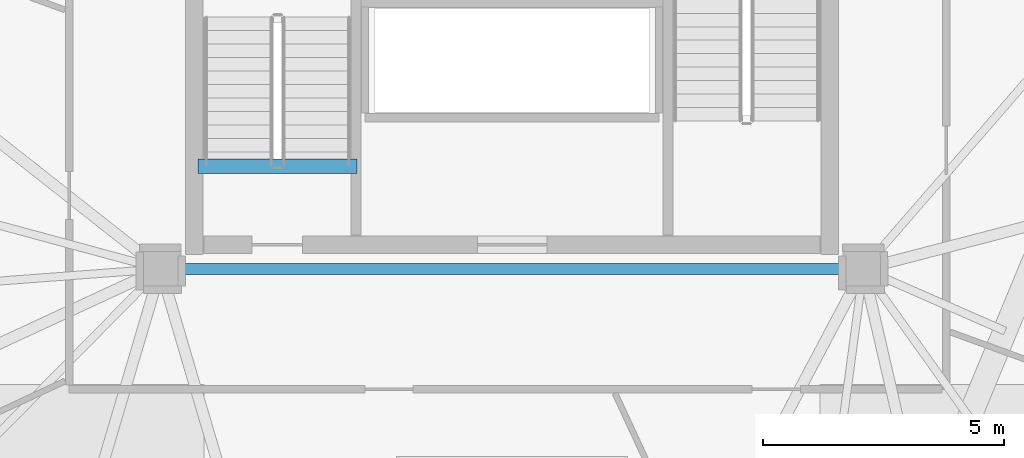
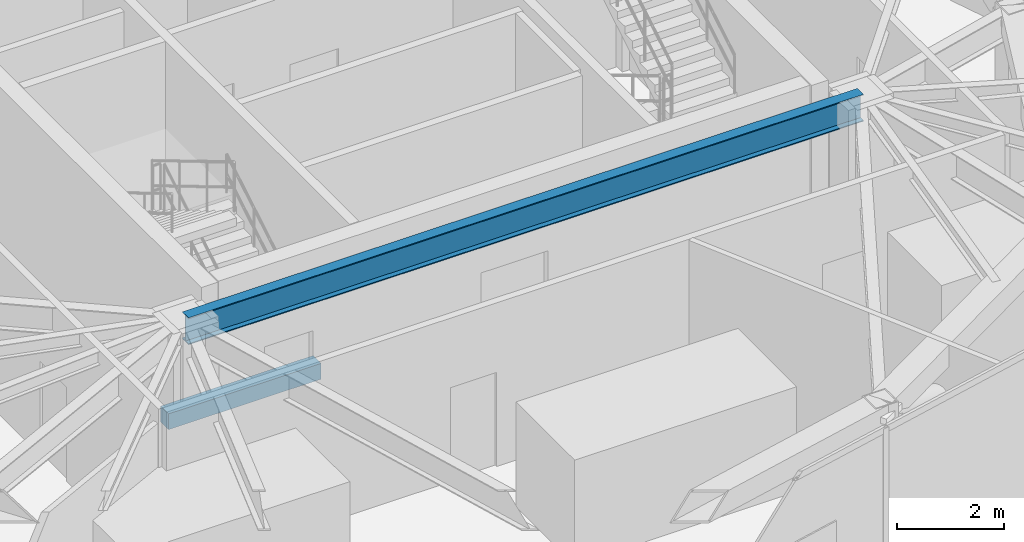
# One storey, part 6 of 21: 2 beams.
"""IFC4 building model written with IfcOpenShell, lengths in metres."""

import ifcopenshell
import ifcopenshell.guid

model = None  # the IFC model being written
_history = None  # IfcOwnerHistory: only IFC2X3 demands one
_inside = {}  # id of a spatial element -> (the spatial element, [elements in it])
_under = {}  # id of a project, library or spatial element -> (it, [spatial elements below it])
_declared = {}  # id of a project -> (the project, [libraries it declares])
_typed = {}  # id of a type object -> (the type object, [elements of that type])
_made_of = {}  # id of a material, layer set ... -> (it, [elements and type objects made of it])


def new_model(schema):
    """Start an empty IFC model of exactly this schema.

    Asked for "IFC4X3", IfcOpenShell would pick the latest addendum, in which some entities
    have other attributes; the version numbers below select the first issue.
    IFC2X3 requires an IfcOwnerHistory on every rooted entity: one is made here for all.
    """
    global model, _history
    if schema == "IFC4X3":
        model = ifcopenshell.file(schema_version=(4, 3, 0, 0))
    else:
        model = ifcopenshell.file(schema=schema)
    _inside.clear()
    _under.clear()
    _declared.clear()
    _typed.clear()
    _made_of.clear()
    _history = None
    if model.schema == "IFC2X3":
        org = make("IfcOrganization", Name="unknown")
        user = make(
            "IfcPersonAndOrganization",
            ThePerson=make("IfcPerson", FamilyName="unknown"),
            TheOrganization=org,
        )
        app = make(
            "IfcApplication",
            ApplicationDeveloper=org,
            Version="unknown",
            ApplicationFullName="unknown",
            ApplicationIdentifier="unknown",
        )
        _history = make(
            "IfcOwnerHistory",
            OwningUser=user,
            OwningApplication=app,
            ChangeAction="ADDED",
            CreationDate=0,
        )
    return model


def make(cls, **values):
    """One entity of the class cls with the attributes given. An attribute that is None is left unset."""
    return model.create_entity(
        cls, **{name: value for name, value in values.items() if value is not None}
    )


def rooted(cls, **values):
    """An entity with a GlobalId (a new one), such as an element, a storey or a relation."""
    return make(cls, GlobalId=ifcopenshell.guid.new(), OwnerHistory=_history, **values)


def si_unit(unit_type, name, prefix=None):
    """IfcSIUnit, for example si_unit("LENGTHUNIT", "METRE", prefix="MILLI")."""
    return make("IfcSIUnit", UnitType=unit_type, Prefix=prefix, Name=name)


def assignment(units):
    """IfcUnitAssignment: the units of a project."""
    return None if units is None else make("IfcUnitAssignment", Units=units)


def point(xyz):
    """IfcCartesianPoint."""
    return None if xyz is None else make("IfcCartesianPoint", Coordinates=xyz)


def direction(xyz):
    """IfcDirection."""
    return None if xyz is None else make("IfcDirection", DirectionRatios=xyz)


def frame(location, z_axis=None, x_axis=None):
    """IfcAxis2Placement3D, a coordinate frame: its origin and axes. An axis left out is left unset."""
    return make(
        "IfcAxis2Placement3D",
        Location=point(location),
        Axis=direction(z_axis),
        RefDirection=direction(x_axis),
    )


def frame_2d(location, x_axis=None):
    """IfcAxis2Placement2D, a coordinate frame in the plane: its origin and x axis."""
    return make(
        "IfcAxis2Placement2D", Location=point(location), RefDirection=direction(x_axis)
    )


def origin():
    """The frame at (0, 0, 0) with its axes left unset."""
    return frame((0.0, 0.0, 0.0))


def origin_2d():
    """The frame at (0, 0) in the plane with its x axis left unset."""
    return frame_2d((0.0, 0.0))


def place(relative_to, where):
    """IfcLocalPlacement: puts the frame where relative to a parent placement (None: the world)."""
    return make(
        "IfcLocalPlacement", PlacementRelTo=relative_to, RelativePlacement=where
    )


def context(
    kind, dimensions, precision=None, world=None, true_north=None, identifier=None
):
    """IfcGeometricRepresentationContext, for example the 3D "Model" context."""
    return make(
        "IfcGeometricRepresentationContext",
        ContextIdentifier=identifier,
        ContextType=kind,
        CoordinateSpaceDimension=dimensions,
        Precision=precision,
        WorldCoordinateSystem=world,
        TrueNorth=true_north,
    )


def subcontext(parent, identifier, kind, view, scale=None):
    """IfcGeometricRepresentationSubContext, for example "Body" below "Model"."""
    return make(
        "IfcGeometricRepresentationSubContext",
        ContextIdentifier=identifier,
        ContextType=kind,
        ParentContext=parent,
        TargetScale=scale,
        TargetView=view,
    )


def project(units=None, contexts=None):
    """IfcProject with its units and contexts."""
    return rooted(
        "IfcProject",
        Name="project",
        RepresentationContexts=contexts,
        UnitsInContext=assignment(units),
    )


def spatial(cls, under=None, at=None, **own):
    """A site, building, storey or space (cls), placed at a placement, below another one or the project."""
    s = rooted(cls, ObjectPlacement=at, **own)
    if under is not None:
        _under.setdefault(under.id(), (under, []))[1].append(s)
    return s


def profile(cls, at=None, kind="AREA", **sizes):
    """A parametric profile (cls). Its sizes go by their IFC names, for example OverallWidth=200.0."""
    return make(cls, ProfileType=kind, Position=at, **sizes)


def rectangle(**sizes):
    """IfcRectangleProfileDef."""
    return profile("IfcRectangleProfileDef", **sizes)


def i_section(**sizes):
    """IfcIShapeProfileDef."""
    return profile("IfcIShapeProfileDef", **sizes)


def extrude(swept, where, along, depth):
    """IfcExtrudedAreaSolid: the profile swept, set in the frame where, extruded along a direction by depth."""
    return make(
        "IfcExtrudedAreaSolid",
        SweptArea=swept,
        Position=where,
        ExtrudedDirection=direction(along),
        Depth=depth,
    )


def shape(context_of_items, identifier, shape_type, items):
    """IfcShapeRepresentation: the items that make up one representation, for example the "Body"."""
    return make(
        "IfcShapeRepresentation",
        ContextOfItems=context_of_items,
        RepresentationIdentifier=identifier,
        RepresentationType=shape_type,
        Items=items,
    )


def material(Name=None, Category=None):
    """IfcMaterial."""
    return make("IfcMaterial", Name=Name, Category=Category)


def material_profile(
    of_material, cross_section, Name=None, Category=None, Priority=None
):
    """IfcMaterialProfile: a cross section and its material."""
    return make(
        "IfcMaterialProfile",
        Name=Name,
        Material=of_material,
        Profile=cross_section,
        Priority=Priority,
        Category=Category,
    )


def profile_set(profiles, Name=None, composite=None):
    """IfcMaterialProfileSet."""
    return make(
        "IfcMaterialProfileSet",
        Name=Name,
        MaterialProfiles=profiles,
        CompositeProfile=composite,
    )


def made_of(thing, what):
    """Note that an element or type object is made of a material, layer set ...; save() writes the relation."""
    if what is not None:
        _made_of.setdefault(what.id(), (what, []))[1].append(thing)
    return thing


def type_object(cls, material=None, **own):
    """A type object (cls), such as IfcWallType, which elements share."""
    return made_of(rooted(cls, **own), material)


def element(
    cls,
    number,
    at=None,
    inside=None,
    cuts=None,
    type_object=None,
    material=None,
    context=None,
    identifier="Body",
    shape_type=None,
    held_by="IfcProductDefinitionShape",
    body=None,
    shapes=None,
    **own,
):
    """One element of the class cls, such as IfcWall. Its Tag is "e" and its number.

    at: its placement. inside: the storey or other place that contains it. cuts: it is an
    opening in that element (IfcRelVoidsElement). A single representation is given by context,
    identifier, shape_type and body (its items); several are given by shapes. held_by: the class
    of the entity that holds the representations. save() writes the other relations.
    """
    e = rooted(cls, Tag="e%d" % number, ObjectPlacement=at, **own)
    if body is not None:
        shapes = [shape(context, identifier, shape_type, body)]
    if shapes is not None:
        e.Representation = make(held_by, Representations=shapes)
    if inside is not None:
        _inside.setdefault(inside.id(), (inside, []))[1].append(e)
    if cuts is not None:
        rooted(
            "IfcRelVoidsElement", RelatingBuildingElement=cuts, RelatedOpeningElement=e
        )
    if type_object is not None:
        _typed.setdefault(type_object.id(), (type_object, []))[1].append(e)
    return made_of(e, material)


def aggregate(whole, parts):
    """IfcRelAggregates: a whole, such as a stair, and the parts it consists of."""
    return rooted("IfcRelAggregates", RelatingObject=whole, RelatedObjects=parts)


def save(model, path):
    """Write the relations noted so far, then the file.

    IfcRelAggregates (storeys below a building ...), IfcRelContainedInSpatialStructure (elements
    in a storey), IfcRelDefinesByType, IfcRelAssociatesMaterial and IfcRelDeclares: one each for
    every whole, place, type object, material and project.
    """
    for whole, parts in _under.values():
        aggregate(whole, parts)
    for where, things in _inside.values():
        rooted(
            "IfcRelContainedInSpatialStructure",
            RelatedElements=things,
            RelatingStructure=where,
        )
    for kind, things in _typed.values():
        rooted("IfcRelDefinesByType", RelatedObjects=things, RelatingType=kind)
    for what, things in _made_of.values():
        rooted("IfcRelAssociatesMaterial", RelatedObjects=things, RelatingMaterial=what)
    for by, libraries in _declared.values():
        rooted("IfcRelDeclares", RelatingContext=by, RelatedDefinitions=libraries)
    model.write(path)


model = new_model("IFC4")

# Units and contexts
model_context = context("Model", 3, precision=1e-05, world=origin(), true_north=direction((0.0, 1.0)))
body_context = subcontext(model_context, "Body", "Model", "MODEL_VIEW")
ifc_project = project(units=[si_unit("LENGTHUNIT", "METRE"), si_unit("AREAUNIT", "SQUARE_METRE"), si_unit("VOLUMEUNIT", "CUBIC_METRE"), si_unit("PLANEANGLEUNIT", "RADIAN"), si_unit("MASSUNIT", "GRAM", prefix="KILO")], contexts=[model_context])

# Site, building, storey
site_placement = place(None, origin())
site = spatial("IfcSite", under=ifc_project, at=site_placement, CompositionType="ELEMENT")
building_placement = place(site_placement, origin())
building = spatial("IfcBuilding", under=site, at=building_placement, Name="Talar Marvaseh", CompositionType="ELEMENT")
storey_placement = place(building_placement, frame((0.0, 0.0, 308.0)))
storey = spatial("IfcBuildingStorey", under=building, at=storey_placement, Name="L82", CompositionType="ELEMENT", Elevation=308.0)

# Beams
ifc_material_1 = material(Name="Concrete C40/50", Category="concrete")
ifc_material_profile_1 = material_profile(ifc_material_1, rectangle(XDim=0.300048828125, YDim=0.360107421875, at=origin_2d()), Name="RC300x360")
ifc_profile_set_1 = profile_set([ifc_material_profile_1], Name="Concrete C40/50")
beam_type_1 = type_object("IfcBeamType", Name="Concrete Stair Landing Trimmer Beam RC300x360", PredefinedType="SPANDREL", material=ifc_profile_set_1)
beam_1_placement = place(storey_placement, frame((22.780029296875, 27.6298828125, -0.179931640625), z_axis=(-1.0, 0.0, 0.0), x_axis=(0.0, -1.0, 0.0)))
element("IfcBeam", 1, at=beam_1_placement, inside=storey, type_object=beam_type_1, Name="L82 ST-1 Stair Nosing Trimmer Beam", PredefinedType="SPANDREL", context=body_context, shape_type="SweptSolid", body=[
    extrude(rectangle(XDim=0.300048828125, YDim=0.360107421875, at=origin_2d()), origin(), (0.0, 0.0, 1.0), 3.300048828125),
])
ifc_material_2 = material(Name="Steel S355", Category="steel")
ifc_material_profile_2 = material_profile(ifc_material_2, i_section(OverallWidth=0.22998046875, OverallDepth=0.616943359375, WebThickness=0.01318359375, FlangeThickness=0.022216796875, at=origin_2d()), Name="W610x140")
ifc_profile_set_2 = profile_set([ifc_material_profile_2], Name="Steel S355")
beam_type_2 = type_object("IfcBeamType", Name="Zone 4 Radial Floor Girder W610x140", PredefinedType="BEAM", material=ifc_profile_set_2)
beam_2_placement = place(storey_placement, frame((18.699951171875, 25.5, 3.431396484375), z_axis=(1.0, 0.0, 0.0), x_axis=(0.0, 1.0, 0.0)))
element("IfcBeam", 2, at=beam_2_placement, inside=storey, type_object=beam_type_2, Name="L82 Zone 4 Radial Floor Girder W610x140", PredefinedType="BEAM", context=body_context, shape_type="SweptSolid", body=[
    extrude(i_section(OverallWidth=0.22998046875, OverallDepth=0.616943359375, WebThickness=0.01318359375, FlangeThickness=0.022216796875, at=origin_2d()), origin(), (0.0, 0.0, 1.0), 14.60009765625),
])

save(model, "model.ifc")
